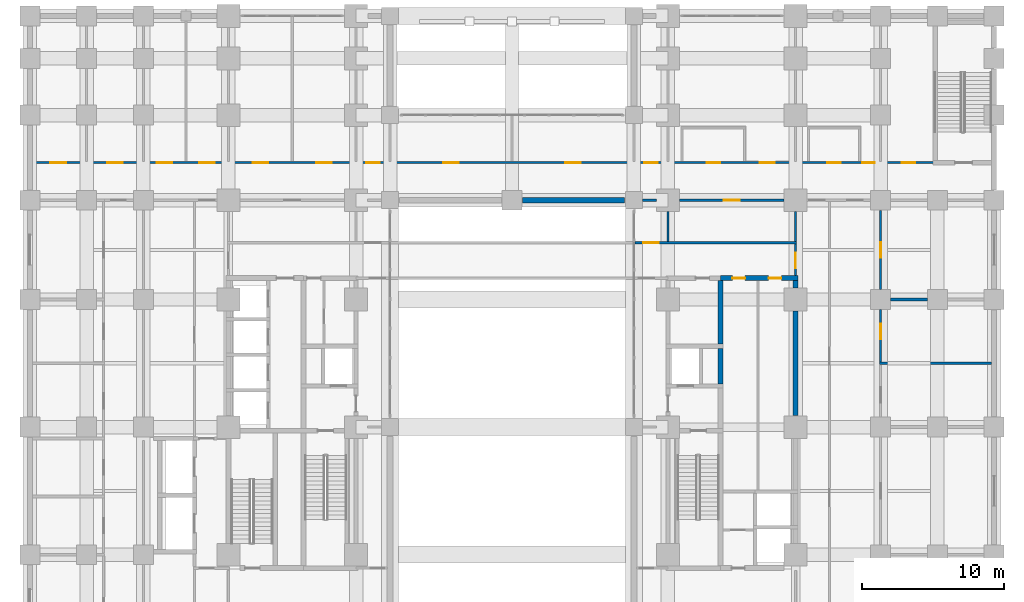
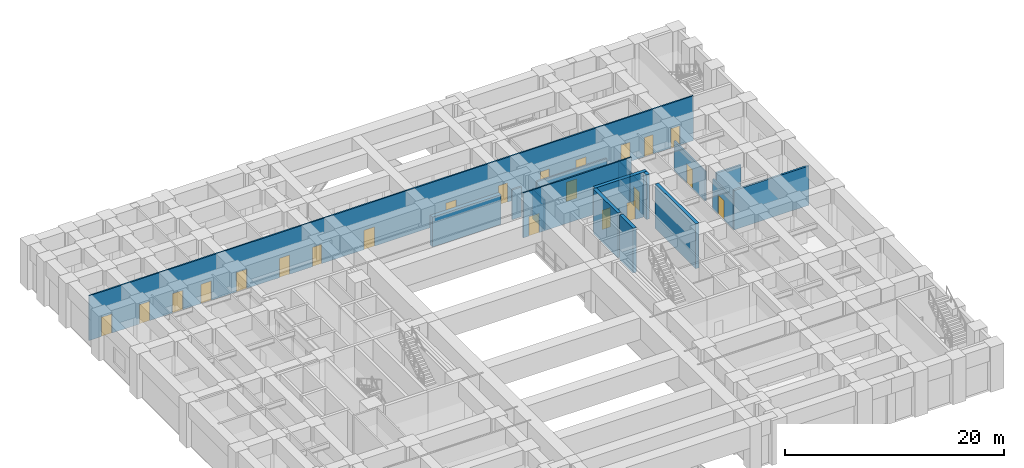
# One storey, part 16 of 24: 22 doors, 17 walls, 22 openings.
"""IFC4 building model written with IfcOpenShell, lengths in metres."""

from ifc_helpers import new_model, si_unit, direction, frame, frame_2d, origin, place, context, subcontext, project, spatial, rectangle, extrude, material, layer, layer_set, type_object, element, fill, save


model = new_model("IFC4")

# Units and contexts
model_context = context("Model", 3, precision=1e-05, world=origin(), true_north=direction((0.0, 1.0)))
body_context = subcontext(model_context, "Body", "Model", "MODEL_VIEW")
ifc_project = project(units=[si_unit("LENGTHUNIT", "METRE"), si_unit("AREAUNIT", "SQUARE_METRE"), si_unit("VOLUMEUNIT", "CUBIC_METRE"), si_unit("PLANEANGLEUNIT", "RADIAN"), si_unit("MASSUNIT", "GRAM", prefix="KILO")], contexts=[model_context])

# Site, building, storey
site_placement = place(None, origin())
site = spatial("IfcSite", under=ifc_project, at=site_placement, CompositionType="ELEMENT")
building_placement = place(site_placement, origin())
building = spatial("IfcBuilding", under=site, at=building_placement, Name="Zulmaris Gate Convention Tower", CompositionType="ELEMENT")
storey_placement = place(building_placement, frame((0.0, 0.0, 16.320068359375)))
storey = spatial("IfcBuildingStorey", under=building, at=storey_placement, Name="L03", CompositionType="ELEMENT", Elevation=16.320068359375)

# Wall, openings, doors
ifc_material_1 = material(Name="Concrete C55/67", Category="concrete")
ifc_layer_1 = layer(ifc_material_1, 0.35009765625, Name="Concrete C55/67")
ifc_layer_set_1 = layer_set([ifc_layer_1], Name="Concrete C55/67")
wall_type_1 = type_object("IfcWallType", Name="CORE-350", PredefinedType="SHEAR", material=ifc_layer_set_1)
wall_1_placement = place(storey_placement, frame((14.699951171875, 10.5, 0.0), z_axis=(0.0, 0.0, 1.0), x_axis=(1.0, 0.0, 0.0)))
wall_1 = element("IfcWall", 1, at=wall_1_placement, inside=storey, type_object=wall_type_1, Name="WL-L03-026", PredefinedType="SHEAR", context=body_context, shape_type="SweptSolid", body=[
    extrude(rectangle(XDim=5.47509765625, YDim=0.35009765625, at=frame_2d((2.737548828125, 0.0))), origin(), (0.0, 0.0, 1.0), 4.989990234375),
])
opening_1_placement = place(wall_1_placement, frame((0.85009765625, 0.0, 0.0)))
opening_1 = element("IfcOpeningElement", 2, at=opening_1_placement, cuts=wall_1, Name="Opening D-12", PredefinedType="OPENING", context=body_context, shape_type="SweptSolid", body=[
    extrude(rectangle(XDim=0.89990234375, YDim=2.14990234375, at=frame_2d((0.449951171875, 1.074951171875))), frame((0.0, 0.18505859375, 0.0), z_axis=(0.0, -1.0, 0.0), x_axis=(1.0, 0.0, 0.0)), (0.0, 0.0, 1.0), 0.3701171875),
])
opening_2_placement = place(wall_1_placement, frame((3.39990234375, 0.0, 0.0)))
opening_2 = element("IfcOpeningElement", 3, at=opening_2_placement, cuts=wall_1, Name="Opening D-12", PredefinedType="OPENING", context=body_context, shape_type="SweptSolid", body=[
    extrude(rectangle(XDim=0.89990234375, YDim=2.14990234375, at=frame_2d((0.449951171875, 1.074951171875))), frame((0.0, 0.18505859375, 0.0), z_axis=(0.0, -1.0, 0.0), x_axis=(1.0, 0.0, 0.0)), (0.0, 0.0, 1.0), 0.3701171875),
])
ifc_material_2 = material(Name="Fire-Rated Timber", Category="wood")
door_type_1 = type_object("IfcDoorType", Name="DR-900-FD", OperationType="NOTDEFINED", PredefinedType="DOOR", material=ifc_material_2)
door_1_placement = place(opening_1_placement, origin())
door_1 = element("IfcDoor", 4, at=door_1_placement, inside=storey, type_object=door_type_1, Name="L03 East IT Room Door 18", OperationType="SINGLE_SWING_RIGHT", OverallHeight=2.14990234375, OverallWidth=0.89990234375, PredefinedType="DOOR", context=body_context, shape_type="SweptSolid", body=[
    extrude(rectangle(XDim=0.89990234375, YDim=2.14990234375, at=frame_2d((0.449951171875, 1.074951171875))), frame((0.0, 0.02490234375, 0.0), z_axis=(0.0, -1.0, 0.0), x_axis=(1.0, 0.0, 0.0)), (0.0, 0.0, 1.0), 0.050048828125),
])
fill(opening_1, door_1)
door_2_placement = place(opening_2_placement, origin())
door_2 = element("IfcDoor", 5, at=door_2_placement, inside=storey, type_object=door_type_1, Name="L03 East Linen Store Door 19", OperationType="SINGLE_SWING_LEFT", OverallHeight=2.14990234375, OverallWidth=0.89990234375, PredefinedType="DOOR", context=body_context, shape_type="SweptSolid", body=[
    extrude(rectangle(XDim=0.89990234375, YDim=2.14990234375, at=frame_2d((0.449951171875, 1.074951171875))), frame((0.0, 0.02490234375, 0.0), z_axis=(0.0, -1.0, 0.0), x_axis=(1.0, 0.0, 0.0)), (0.0, 0.0, 1.0), 0.050048828125),
])
fill(opening_2, door_2)

# Walls
wall_2_placement = place(storey_placement, frame((14.699951171875, 3.052001953125, 0.0), z_axis=(0.0, 0.0, 1.0), x_axis=(0.0, 1.0, 0.0)))
element("IfcWall", 6, at=wall_2_placement, inside=storey, type_object=wall_type_1, Name="WL-L03-101", PredefinedType="SHEAR", context=body_context, shape_type="SweptSolid", body=[
    extrude(rectangle(XDim=2.49609375, YDim=0.35009765625, at=frame_2d((1.248046875, 0.0))), origin(), (0.0, 0.0, 1.0), 4.989990234375),
])
wall_3_placement = place(storey_placement, frame((14.699951171875, 5.85205078125, 0.0), z_axis=(0.0, 0.0, 1.0), x_axis=(0.0, 1.0, 0.0)))
element("IfcWall", 7, at=wall_3_placement, inside=storey, type_object=wall_type_1, Name="WL-L03-102", PredefinedType="SHEAR", context=body_context, shape_type="SweptSolid", body=[
    extrude(rectangle(XDim=4.470947265625, YDim=0.35009765625, at=frame_2d((2.2353515625, 0.0))), origin(), (0.0, 0.0, 1.0), 4.989990234375),
])
wall_4_placement = place(storey_placement, frame((20.0, 0.803955078125, 0.0), z_axis=(0.0, 0.0, 1.0), x_axis=(0.0, 1.0, 0.0)))
element("IfcWall", 8, at=wall_4_placement, inside=storey, type_object=wall_type_1, Name="WL-L03-107S1", PredefinedType="SHEAR", context=body_context, shape_type="SweptSolid", body=[
    extrude(rectangle(XDim=7.39208984375, YDim=0.35009765625, at=frame_2d((3.696044921875, 0.0))), origin(), (0.0, 0.0, 1.0), 4.989990234375),
])
wall_5_placement = place(storey_placement, frame((20.0, 9.803955078125, 0.0), z_axis=(0.0, 0.0, 1.0), x_axis=(0.0, 1.0, 0.0)))
element("IfcWall", 9, at=wall_5_placement, inside=storey, type_object=wall_type_1, Name="WL-L03-107S2", PredefinedType="SHEAR", context=body_context, shape_type="SweptSolid", body=[
    extrude(rectangle(XDim=0.51904296875, YDim=0.35009765625, at=frame_2d((0.259521484375, 0.0))), origin(), (0.0, 0.0, 1.0), 4.989990234375),
])

# Wall, opening, door
ifc_material_3 = material(Name="Gypsum Metal Stud Partition")
ifc_layer_2 = layer(ifc_material_3, 0.14990234375, Name="Gypsum Metal Stud Partition")
ifc_layer_set_2 = layer_set([ifc_layer_2], Name="Gypsum Metal Stud Partition")
wall_type_2 = type_object("IfcWallType", Name="PART-150", PredefinedType="PARTITIONING", material=ifc_layer_set_2)
wall_6_placement = place(storey_placement, frame((8.659912109375, 13.0, 0.0), z_axis=(0.0, 0.0, 1.0), x_axis=(1.0, 0.0, 0.0)))
wall_6 = element("IfcWall", 10, at=wall_6_placement, inside=storey, type_object=wall_type_2, Name="WL-L03-056", PredefinedType="PARTITIONING", context=body_context, shape_type="SweptSolid", body=[
    extrude(rectangle(XDim=11.4150390625, YDim=0.14990234375, at=frame_2d((5.70751953125, 0.0))), origin(), (0.0, 0.0, 1.0), 4.989990234375),
])
opening_3_placement = place(wall_6_placement, frame((0.590087890625, 0.0, 0.0)))
opening_3 = element("IfcOpeningElement", 11, at=opening_3_placement, cuts=wall_6, Name="Opening D-08", PredefinedType="OPENING", context=body_context, shape_type="SweptSolid", body=[
    extrude(rectangle(XDim=1.10009765625, YDim=2.14990234375, at=frame_2d((0.550048828125, 1.074951171875))), frame((0.0, 0.0849609375, 0.0), z_axis=(0.0, -1.0, 0.0), x_axis=(1.0, 0.0, 0.0)), (0.0, 0.0, 1.0), 0.169921875),
])
ifc_material_4 = material(Name="Fire-Rated Steel", Category="steel")
door_type_2 = type_object("IfcDoorType", Name="DR-1100-FD", OperationType="NOTDEFINED", PredefinedType="DOOR", material=ifc_material_4)
door_3_placement = place(opening_3_placement, origin())
door_3 = element("IfcDoor", 12, at=door_3_placement, inside=storey, type_object=door_type_2, Name="L03 East Spine North Door 37", OperationType="SINGLE_SWING_LEFT", OverallHeight=2.14990234375, OverallWidth=1.10009765625, PredefinedType="DOOR", context=body_context, shape_type="SweptSolid", body=[
    extrude(rectangle(XDim=1.10009765625, YDim=2.14990234375, at=frame_2d((0.550048828125, 1.074951171875))), frame((0.0, 0.02490234375, 0.0), z_axis=(0.0, -1.0, 0.0), x_axis=(1.0, 0.0, 0.0)), (0.0, 0.0, 1.0), 0.050048828125),
])
fill(opening_3, door_3)

# Wall
wall_7_placement = place(storey_placement, frame((9.2060546875, 16.0, 0.0), z_axis=(0.0, 0.0, 1.0), x_axis=(1.0, 0.0, 0.0)))
element("IfcWall", 13, at=wall_7_placement, inside=storey, type_object=wall_type_2, Name="WL-L03-061", PredefinedType="PARTITIONING", context=body_context, shape_type="SweptSolid", body=[
    extrude(rectangle(XDim=0.988037109375, YDim=0.14990234375, at=frame_2d((0.494140625, 0.0))), origin(), (0.0, 0.0, 1.0), 3.33203125),
])

# Wall, opening, door
wall_8_placement = place(storey_placement, frame((11.805908203125, 16.0, 0.0), z_axis=(0.0, 0.0, 1.0), x_axis=(1.0, 0.0, 0.0)))
wall_8 = element("IfcWall", 14, at=wall_8_placement, inside=storey, type_object=wall_type_2, Name="WL-L03-062", PredefinedType="PARTITIONING", context=body_context, shape_type="SweptSolid", body=[
    extrude(rectangle(XDim=7.38818359375, YDim=0.14990234375, at=frame_2d((3.694091796875, 0.0))), origin(), (0.0, 0.0, 1.0), 3.33203125),
])
opening_4_placement = place(wall_8_placement, frame((3.14404296875, 0.0, 0.0)))
opening_4 = element("IfcOpeningElement", 15, at=opening_4_placement, cuts=wall_8, Name="Opening D-21", PredefinedType="OPENING", context=body_context, shape_type="SweptSolid", body=[
    extrude(rectangle(XDim=1.10009765625, YDim=2.14990234375, at=frame_2d((0.550048828125, 1.074951171875))), frame((0.0, 0.0849609375, 0.0), z_axis=(0.0, -1.0, 0.0), x_axis=(1.0, 0.0, 0.0)), (0.0, 0.0, 1.0), 0.169921875),
])
ifc_material_5 = material(Name="Acoustic Hardwood Timber", Category="wood")
door_type_3 = type_object("IfcDoorType", Name="DR-1100", OperationType="NOTDEFINED", PredefinedType="DOOR", material=ifc_material_5)
door_4_placement = place(opening_4_placement, origin())
door_4 = element("IfcDoor", 16, at=door_4_placement, inside=storey, type_object=door_type_3, Name="L03 NE Breakout Salon Door 29", OperationType="SINGLE_SWING_LEFT", OverallHeight=2.14990234375, OverallWidth=1.10009765625, PredefinedType="DOOR", context=body_context, shape_type="SweptSolid", body=[
    extrude(rectangle(XDim=1.10009765625, YDim=2.14990234375, at=frame_2d((0.550048828125, 1.074951171875))), frame((0.0, 0.02490234375, 0.0), z_axis=(0.0, -1.0, 0.0), x_axis=(1.0, 0.0, 0.0)), (0.0, 0.0, 1.0), 0.050048828125),
])
fill(opening_4, door_4)

# Wall, openings, doors
wall_9_placement = place(storey_placement, frame((-33.8349609375, 18.64990234375, 0.0), z_axis=(0.0, 0.0, 1.0), x_axis=(1.0, 0.0, 0.0)))
wall_9 = element("IfcWall", 17, at=wall_9_placement, inside=storey, type_object=wall_type_2, Name="WL-L03-065", PredefinedType="PARTITIONING", context=body_context, shape_type="SweptSolid", body=[
    extrude(rectangle(XDim=63.68505859375, YDim=0.14990234375, at=frame_2d((31.842529296875, 0.0))), origin(), (0.0, 0.0, 1.0), 4.989990234375),
])
opening_5_placement = place(wall_9_placement, frame((1.284912109375, 0.0, 0.0)))
opening_5 = element("IfcOpeningElement", 18, at=opening_5_placement, cuts=wall_9, Name="Opening D-08", PredefinedType="OPENING", context=body_context, shape_type="SweptSolid", body=[
    extrude(rectangle(XDim=1.10009765625, YDim=2.14990234375, at=frame_2d((0.550048828125, 1.074951171875))), frame((0.0, 0.0849609375, 0.0), z_axis=(0.0, -1.0, 0.0), x_axis=(1.0, 0.0, 0.0)), (0.0, 0.0, 1.0), 0.169921875),
])
opening_6_placement = place(wall_9_placement, frame((5.284912109375, 0.0, 0.0)))
opening_6 = element("IfcOpeningElement", 19, at=opening_6_placement, cuts=wall_9, Name="Opening D-08", PredefinedType="OPENING", context=body_context, shape_type="SweptSolid", body=[
    extrude(rectangle(XDim=1.10009765625, YDim=2.14990234375, at=frame_2d((0.550048828125, 1.074951171875))), frame((0.0, 0.0849609375, 0.0), z_axis=(0.0, -1.0, 0.0), x_axis=(1.0, 0.0, 0.0)), (0.0, 0.0, 1.0), 0.169921875),
])
opening_7_placement = place(wall_9_placement, frame((8.784912109375, 0.0, 0.0)))
opening_7 = element("IfcOpeningElement", 20, at=opening_7_placement, cuts=wall_9, Name="Opening D-08", PredefinedType="OPENING", context=body_context, shape_type="SweptSolid", body=[
    extrude(rectangle(XDim=1.10009765625, YDim=2.14990234375, at=frame_2d((0.550048828125, 1.074951171875))), frame((0.0, 0.0849609375, 0.0), z_axis=(0.0, -1.0, 0.0), x_axis=(1.0, 0.0, 0.0)), (0.0, 0.0, 1.0), 0.169921875),
])
opening_8_placement = place(wall_9_placement, frame((11.784912109375, 0.0, 0.0)))
opening_8 = element("IfcOpeningElement", 21, at=opening_8_placement, cuts=wall_9, Name="Opening D-08", PredefinedType="OPENING", context=body_context, shape_type="SweptSolid", body=[
    extrude(rectangle(XDim=1.10009765625, YDim=2.14990234375, at=frame_2d((0.550048828125, 1.074951171875))), frame((0.0, 0.0849609375, 0.0), z_axis=(0.0, -1.0, 0.0), x_axis=(1.0, 0.0, 0.0)), (0.0, 0.0, 1.0), 0.169921875),
])
opening_9_placement = place(wall_9_placement, frame((15.534912109375, 0.0, 0.0)))
opening_9 = element("IfcOpeningElement", 22, at=opening_9_placement, cuts=wall_9, Name="Opening D-08", PredefinedType="OPENING", context=body_context, shape_type="SweptSolid", body=[
    extrude(rectangle(XDim=1.10009765625, YDim=2.14990234375, at=frame_2d((0.550048828125, 1.074951171875))), frame((0.0, 0.0849609375, 0.0), z_axis=(0.0, -1.0, 0.0), x_axis=(1.0, 0.0, 0.0)), (0.0, 0.0, 1.0), 0.169921875),
])
opening_10_placement = place(wall_9_placement, frame((20.034912109375, 0.0, 0.0)))
opening_10 = element("IfcOpeningElement", 23, at=opening_10_placement, cuts=wall_9, Name="Opening D-08", PredefinedType="OPENING", context=body_context, shape_type="SweptSolid", body=[
    extrude(rectangle(XDim=1.10009765625, YDim=2.14990234375, at=frame_2d((0.550048828125, 1.074951171875))), frame((0.0, 0.0849609375, 0.0), z_axis=(0.0, -1.0, 0.0), x_axis=(1.0, 0.0, 0.0)), (0.0, 0.0, 1.0), 0.169921875),
])
opening_11_placement = place(wall_9_placement, frame((23.56005859375, 0.0, 0.0)))
opening_11 = element("IfcOpeningElement", 24, at=opening_11_placement, cuts=wall_9, Name="Opening D-11", PredefinedType="OPENING", context=body_context, shape_type="SweptSolid", body=[
    extrude(rectangle(XDim=0.949951171875, YDim=2.14990234375, at=frame_2d((0.47509765625, 1.074951171875))), frame((0.0, 0.0849609375, 0.0), z_axis=(0.0, -1.0, 0.0), x_axis=(1.0, 0.0, 0.0)), (0.0, 0.0, 1.0), 0.169921875),
])
opening_12_placement = place(wall_9_placement, frame((28.985107421875, 0.0, 0.0)))
opening_12 = element("IfcOpeningElement", 25, at=opening_12_placement, cuts=wall_9, Name="Opening D-08", PredefinedType="OPENING", context=body_context, shape_type="SweptSolid", body=[
    extrude(rectangle(XDim=1.10009765625, YDim=2.14990234375, at=frame_2d((0.550048828125, 1.074951171875))), frame((0.0, 0.0849609375, 0.0), z_axis=(0.0, -1.0, 0.0), x_axis=(1.0, 0.0, 0.0)), (0.0, 0.0, 1.0), 0.169921875),
])
opening_13_placement = place(wall_9_placement, frame((37.5849609375, 0.0, 0.0)))
opening_13 = element("IfcOpeningElement", 26, at=opening_13_placement, cuts=wall_9, Name="Opening D-08", PredefinedType="OPENING", context=body_context, shape_type="SweptSolid", body=[
    extrude(rectangle(XDim=1.10009765625, YDim=2.14990234375, at=frame_2d((0.550048828125, 1.074951171875))), frame((0.0, 0.0849609375, 0.0), z_axis=(0.0, -1.0, 0.0), x_axis=(1.0, 0.0, 0.0)), (0.0, 0.0, 1.0), 0.169921875),
])
opening_14_placement = place(wall_9_placement, frame((43.159912109375, 0.0, 0.0)))
opening_14 = element("IfcOpeningElement", 27, at=opening_14_placement, cuts=wall_9, Name="Opening D-11", PredefinedType="OPENING", context=body_context, shape_type="SweptSolid", body=[
    extrude(rectangle(XDim=0.949951171875, YDim=2.14990234375, at=frame_2d((0.47509765625, 1.074951171875))), frame((0.0, 0.0849609375, 0.0), z_axis=(0.0, -1.0, 0.0), x_axis=(1.0, 0.0, 0.0)), (0.0, 0.0, 1.0), 0.169921875),
])
opening_15_placement = place(wall_9_placement, frame((61.31005859375, 0.0, 0.0)))
opening_15 = element("IfcOpeningElement", 28, at=opening_15_placement, cuts=wall_9, Name="Opening D-11", PredefinedType="OPENING", context=body_context, shape_type="SweptSolid", body=[
    extrude(rectangle(XDim=0.949951171875, YDim=2.14990234375, at=frame_2d((0.47509765625, 1.074951171875))), frame((0.0, 0.0849609375, 0.0), z_axis=(0.0, -1.0, 0.0), x_axis=(1.0, 0.0, 0.0)), (0.0, 0.0, 1.0), 0.169921875),
])
opening_16_placement = place(wall_9_placement, frame((47.56005859375, 0.0, 0.0)))
opening_16 = element("IfcOpeningElement", 29, at=opening_16_placement, cuts=wall_9, Name="Opening D-11", PredefinedType="OPENING", context=body_context, shape_type="SweptSolid", body=[
    extrude(rectangle(XDim=0.949951171875, YDim=2.14990234375, at=frame_2d((0.47509765625, 1.074951171875))), frame((0.0, 0.0849609375, 0.0), z_axis=(0.0, -1.0, 0.0), x_axis=(1.0, 0.0, 0.0)), (0.0, 0.0, 1.0), 0.169921875),
])
opening_17_placement = place(wall_9_placement, frame((51.31005859375, 0.0, 0.0)))
opening_17 = element("IfcOpeningElement", 30, at=opening_17_placement, cuts=wall_9, Name="Opening D-09", PredefinedType="OPENING", context=body_context, shape_type="SweptSolid", body=[
    extrude(rectangle(XDim=1.050048828125, YDim=2.14990234375, at=frame_2d((0.52490234375, 1.074951171875))), frame((0.0, 0.0849609375, 0.0), z_axis=(0.0, -1.0, 0.0), x_axis=(1.0, 0.0, 0.0)), (0.0, 0.0, 1.0), 0.169921875),
])
opening_18_placement = place(wall_9_placement, frame((56.06005859375, 0.0, 0.0)))
opening_18 = element("IfcOpeningElement", 31, at=opening_18_placement, cuts=wall_9, Name="Opening D-11", PredefinedType="OPENING", context=body_context, shape_type="SweptSolid", body=[
    extrude(rectangle(XDim=0.949951171875, YDim=2.14990234375, at=frame_2d((0.47509765625, 1.074951171875))), frame((0.0, 0.0849609375, 0.0), z_axis=(0.0, -1.0, 0.0), x_axis=(1.0, 0.0, 0.0)), (0.0, 0.0, 1.0), 0.169921875),
])
opening_19_placement = place(wall_9_placement, frame((58.534912109375, 0.0, 0.0)))
opening_19 = element("IfcOpeningElement", 32, at=opening_19_placement, cuts=wall_9, Name="Opening D-12", PredefinedType="OPENING", context=body_context, shape_type="SweptSolid", body=[
    extrude(rectangle(XDim=0.89990234375, YDim=2.14990234375, at=frame_2d((0.449951171875, 1.074951171875))), frame((0.0, 0.0849609375, 0.0), z_axis=(0.0, -1.0, 0.0), x_axis=(1.0, 0.0, 0.0)), (0.0, 0.0, 1.0), 0.169921875),
])
door_type_4 = type_object("IfcDoorType", Name="DR-1050-FD", OperationType="NOTDEFINED", PredefinedType="DOOR", material=ifc_material_4)
door_5_placement = place(opening_17_placement, origin())
door_5 = element("IfcDoor", 33, at=door_5_placement, inside=storey, type_object=door_type_4, Name="L03 NE Delegate Salon Door 60", OperationType="SINGLE_SWING_RIGHT", OverallHeight=2.14990234375, OverallWidth=1.050048828125, PredefinedType="DOOR", context=body_context, shape_type="SweptSolid", body=[
    extrude(rectangle(XDim=1.050048828125, YDim=2.14990234375, at=frame_2d((0.52490234375, 1.074951171875))), frame((0.0, 0.02490234375, 0.0), z_axis=(0.0, -1.0, 0.0), x_axis=(1.0, 0.0, 0.0)), (0.0, 0.0, 1.0), 0.050048828125),
])
fill(opening_17, door_5)
door_6_placement = place(opening_5_placement, origin())
door_6 = element("IfcDoor", 34, at=door_6_placement, inside=storey, type_object=door_type_2, Name="L03 VIP Delegate Lounge N1 Door 48", OperationType="SINGLE_SWING_RIGHT", OverallHeight=2.14990234375, OverallWidth=1.10009765625, PredefinedType="DOOR", context=body_context, shape_type="SweptSolid", body=[
    extrude(rectangle(XDim=1.10009765625, YDim=2.14990234375, at=frame_2d((0.550048828125, 1.074951171875))), frame((0.0, 0.02490234375, 0.0), z_axis=(0.0, -1.0, 0.0), x_axis=(1.0, 0.0, 0.0)), (0.0, 0.0, 1.0), 0.050048828125),
])
fill(opening_5, door_6)
door_7_placement = place(opening_6_placement, origin())
door_7 = element("IfcDoor", 35, at=door_7_placement, inside=storey, type_object=door_type_2, Name="L03 Board Secretariat Office N2 Door 49", OperationType="SINGLE_SWING_LEFT", OverallHeight=2.14990234375, OverallWidth=1.10009765625, PredefinedType="DOOR", context=body_context, shape_type="SweptSolid", body=[
    extrude(rectangle(XDim=1.10009765625, YDim=2.14990234375, at=frame_2d((0.550048828125, 1.074951171875))), frame((0.0, 0.02490234375, 0.0), z_axis=(0.0, -1.0, 0.0), x_axis=(1.0, 0.0, 0.0)), (0.0, 0.0, 1.0), 0.050048828125),
])
fill(opening_6, door_7)
door_8_placement = place(opening_7_placement, origin())
door_8 = element("IfcDoor", 36, at=door_8_placement, inside=storey, type_object=door_type_2, Name="L03 Convention Seminar Room N3 Door 50", OperationType="SINGLE_SWING_RIGHT", OverallHeight=2.14990234375, OverallWidth=1.10009765625, PredefinedType="DOOR", context=body_context, shape_type="SweptSolid", body=[
    extrude(rectangle(XDim=1.10009765625, YDim=2.14990234375, at=frame_2d((0.550048828125, 1.074951171875))), frame((0.0, 0.02490234375, 0.0), z_axis=(0.0, -1.0, 0.0), x_axis=(1.0, 0.0, 0.0)), (0.0, 0.0, 1.0), 0.050048828125),
])
fill(opening_7, door_8)
door_9_placement = place(opening_8_placement, origin())
door_9 = element("IfcDoor", 37, at=door_9_placement, inside=storey, type_object=door_type_2, Name="L03 Delegate Briefing Room N4 Door 51", OperationType="SINGLE_SWING_LEFT", OverallHeight=2.14990234375, OverallWidth=1.10009765625, PredefinedType="DOOR", context=body_context, shape_type="SweptSolid", body=[
    extrude(rectangle(XDim=1.10009765625, YDim=2.14990234375, at=frame_2d((0.550048828125, 1.074951171875))), frame((0.0, 0.02490234375, 0.0), z_axis=(0.0, -1.0, 0.0), x_axis=(1.0, 0.0, 0.0)), (0.0, 0.0, 1.0), 0.050048828125),
])
fill(opening_8, door_9)
door_10_placement = place(opening_9_placement, origin())
door_10 = element("IfcDoor", 38, at=door_10_placement, inside=storey, type_object=door_type_2, Name="L03 VIP Delegate Lounge N5 Door 52", OperationType="SINGLE_SWING_RIGHT", OverallHeight=2.14990234375, OverallWidth=1.10009765625, PredefinedType="DOOR", context=body_context, shape_type="SweptSolid", body=[
    extrude(rectangle(XDim=1.10009765625, YDim=2.14990234375, at=frame_2d((0.550048828125, 1.074951171875))), frame((0.0, 0.02490234375, 0.0), z_axis=(0.0, -1.0, 0.0), x_axis=(1.0, 0.0, 0.0)), (0.0, 0.0, 1.0), 0.050048828125),
])
fill(opening_9, door_10)
door_11_placement = place(opening_10_placement, origin())
door_11 = element("IfcDoor", 39, at=door_11_placement, inside=storey, type_object=door_type_2, Name="L03 Board Secretariat Office N6 Door 53", OperationType="SINGLE_SWING_LEFT", OverallHeight=2.14990234375, OverallWidth=1.10009765625, PredefinedType="DOOR", context=body_context, shape_type="SweptSolid", body=[
    extrude(rectangle(XDim=1.10009765625, YDim=2.14990234375, at=frame_2d((0.550048828125, 1.074951171875))), frame((0.0, 0.02490234375, 0.0), z_axis=(0.0, -1.0, 0.0), x_axis=(1.0, 0.0, 0.0)), (0.0, 0.0, 1.0), 0.050048828125),
])
fill(opening_10, door_11)
door_12_placement = place(opening_12_placement, origin())
door_12 = element("IfcDoor", 40, at=door_12_placement, inside=storey, type_object=door_type_2, Name="L03 North Arch Gallery West Door 55", OperationType="SINGLE_SWING_LEFT", OverallHeight=2.14990234375, OverallWidth=1.10009765625, PredefinedType="DOOR", context=body_context, shape_type="SweptSolid", body=[
    extrude(rectangle(XDim=1.10009765625, YDim=2.14990234375, at=frame_2d((0.550048828125, 1.074951171875))), frame((0.0, 0.02490234375, 0.0), z_axis=(0.0, -1.0, 0.0), x_axis=(1.0, 0.0, 0.0)), (0.0, 0.0, 1.0), 0.050048828125),
])
fill(opening_12, door_12)
door_13_placement = place(opening_13_placement, origin())
door_13 = element("IfcDoor", 41, at=door_13_placement, inside=storey, type_object=door_type_2, Name="L03 North Arch Gallery East Door 56", OperationType="SINGLE_SWING_RIGHT", OverallHeight=2.14990234375, OverallWidth=1.10009765625, PredefinedType="DOOR", context=body_context, shape_type="SweptSolid", body=[
    extrude(rectangle(XDim=1.10009765625, YDim=2.14990234375, at=frame_2d((0.550048828125, 1.074951171875))), frame((0.0, 0.02490234375, 0.0), z_axis=(0.0, -1.0, 0.0), x_axis=(1.0, 0.0, 0.0)), (0.0, 0.0, 1.0), 0.050048828125),
])
fill(opening_13, door_13)
door_14_placement = place(opening_19_placement, origin())
door_14 = element("IfcDoor", 42, at=door_14_placement, inside=storey, type_object=door_type_1, Name="L03 Prep Kitchen Door 62", OperationType="SINGLE_SWING_RIGHT", OverallHeight=2.14990234375, OverallWidth=0.89990234375, PredefinedType="DOOR", context=body_context, shape_type="SweptSolid", body=[
    extrude(rectangle(XDim=0.89990234375, YDim=2.14990234375, at=frame_2d((0.449951171875, 1.074951171875))), frame((0.0, 0.02490234375, 0.0), z_axis=(0.0, -1.0, 0.0), x_axis=(1.0, 0.0, 0.0)), (0.0, 0.0, 1.0), 0.050048828125),
])
fill(opening_19, door_14)
door_type_5 = type_object("IfcDoorType", Name="DR-950-FD", OperationType="NOTDEFINED", PredefinedType="DOOR", material=ifc_material_2)
door_15_placement = place(opening_11_placement, origin())
door_15 = element("IfcDoor", 43, at=door_15_placement, inside=storey, type_object=door_type_5, Name="L03 NW Translation Office Door 54", OperationType="SINGLE_SWING_RIGHT", OverallHeight=2.14990234375, OverallWidth=0.949951171875, PredefinedType="DOOR", context=body_context, shape_type="SweptSolid", body=[
    extrude(rectangle(XDim=0.949951171875, YDim=2.14990234375, at=frame_2d((0.47509765625, 1.074951171875))), frame((0.0, 0.02490234375, 0.0), z_axis=(0.0, -1.0, 0.0), x_axis=(1.0, 0.0, 0.0)), (0.0, 0.0, 1.0), 0.050048828125),
])
fill(opening_11, door_15)
door_16_placement = place(opening_14_placement, origin())
door_16 = element("IfcDoor", 44, at=door_16_placement, inside=storey, type_object=door_type_5, Name="L03 NE Translation Office Door 57", OperationType="SINGLE_SWING_LEFT", OverallHeight=2.14990234375, OverallWidth=0.949951171875, PredefinedType="DOOR", context=body_context, shape_type="SweptSolid", body=[
    extrude(rectangle(XDim=0.949951171875, YDim=2.14990234375, at=frame_2d((0.47509765625, 1.074951171875))), frame((0.0, 0.02490234375, 0.0), z_axis=(0.0, -1.0, 0.0), x_axis=(1.0, 0.0, 0.0)), (0.0, 0.0, 1.0), 0.050048828125),
])
fill(opening_14, door_16)
door_17_placement = place(opening_15_placement, origin())
door_17 = element("IfcDoor", 45, at=door_17_placement, inside=storey, type_object=door_type_5, Name="L03 Secretariat Office Door 58", OperationType="SINGLE_SWING_RIGHT", OverallHeight=2.14990234375, OverallWidth=0.949951171875, PredefinedType="DOOR", context=body_context, shape_type="SweptSolid", body=[
    extrude(rectangle(XDim=0.949951171875, YDim=2.14990234375, at=frame_2d((0.47509765625, 1.074951171875))), frame((0.0, 0.02490234375, 0.0), z_axis=(0.0, -1.0, 0.0), x_axis=(1.0, 0.0, 0.0)), (0.0, 0.0, 1.0), 0.050048828125),
])
fill(opening_15, door_17)
door_18_placement = place(opening_16_placement, origin())
door_18 = element("IfcDoor", 46, at=door_18_placement, inside=storey, type_object=door_type_5, Name="L03 Public Washrooms WC Door 59", OperationType="SINGLE_SWING_LEFT", OverallHeight=2.14990234375, OverallWidth=0.949951171875, PredefinedType="DOOR", context=body_context, shape_type="SweptSolid", body=[
    extrude(rectangle(XDim=0.949951171875, YDim=2.14990234375, at=frame_2d((0.47509765625, 1.074951171875))), frame((0.0, 0.02490234375, 0.0), z_axis=(0.0, -1.0, 0.0), x_axis=(1.0, 0.0, 0.0)), (0.0, 0.0, 1.0), 0.050048828125),
])
fill(opening_16, door_18)
door_19_placement = place(opening_18_placement, origin())
door_19 = element("IfcDoor", 47, at=door_19_placement, inside=storey, type_object=door_type_5, Name="L03 Accessible WC Door 61", OperationType="SINGLE_SWING_LEFT", OverallHeight=2.14990234375, OverallWidth=0.949951171875, PredefinedType="DOOR", context=body_context, shape_type="SweptSolid", body=[
    extrude(rectangle(XDim=0.949951171875, YDim=2.14990234375, at=frame_2d((0.47509765625, 1.074951171875))), frame((0.0, 0.02490234375, 0.0), z_axis=(0.0, -1.0, 0.0), x_axis=(1.0, 0.0, 0.0)), (0.0, 0.0, 1.0), 0.050048828125),
])
fill(opening_18, door_19)

# Wall
wall_10_placement = place(storey_placement, frame((11.0, 13.077880859375, 0.0), z_axis=(0.0, 0.0, 1.0), x_axis=(0.0, 1.0, 0.0)))
element("IfcWall", 48, at=wall_10_placement, inside=storey, type_object=wall_type_2, Name="WL-L03-141", PredefinedType="PARTITIONING", context=body_context, shape_type="SweptSolid", body=[
    extrude(rectangle(XDim=2.1162109375, YDim=0.14990234375, at=frame_2d((1.05810546875, 0.0))), origin(), (0.0, 0.0, 1.0), 3.33203125),
])

# Wall, opening, door
wall_11_placement = place(storey_placement, frame((20.0, 10.677978515625, 0.0), z_axis=(0.0, 0.0, 1.0), x_axis=(0.0, 1.0, 0.0)))
wall_11 = element("IfcWall", 49, at=wall_11_placement, inside=storey, type_object=wall_type_2, Name="WL-L03-148", PredefinedType="PARTITIONING", context=body_context, shape_type="SweptSolid", body=[
    extrude(rectangle(XDim=2.244140625, YDim=0.14990234375, at=frame_2d((1.1220703125, 0.0))), origin(), (0.0, 0.0, 1.0), 3.33203125),
])
opening_20_placement = place(wall_11_placement, frame((0.52197265625, 0.0, 0.0)))
opening_20 = element("IfcOpeningElement", 50, at=opening_20_placement, cuts=wall_11, Name="Opening D-08", PredefinedType="OPENING", context=body_context, shape_type="SweptSolid", body=[
    extrude(rectangle(XDim=1.10009765625, YDim=2.14990234375, at=frame_2d((0.550048828125, 1.074951171875))), frame((0.0, 0.0849609375, 0.0), z_axis=(0.0, -1.0, 0.0), x_axis=(1.0, 0.0, 0.0)), (0.0, 0.0, 1.0), 0.169921875),
])
door_20_placement = place(opening_20_placement, origin())
door_20 = element("IfcDoor", 51, at=door_20_placement, inside=storey, type_object=door_type_2, Name="L03 East Passage North Door 43", OperationType="SINGLE_SWING_LEFT", OverallHeight=2.14990234375, OverallWidth=1.10009765625, PredefinedType="DOOR", context=body_context, shape_type="SweptSolid", body=[
    extrude(rectangle(XDim=1.10009765625, YDim=2.14990234375, at=frame_2d((0.550048828125, 1.074951171875))), frame((0.0, 0.02490234375, 0.0), z_axis=(0.0, -1.0, 0.0), x_axis=(1.0, 0.0, 0.0)), (0.0, 0.0, 1.0), 0.050048828125),
])
fill(opening_20, door_20)

# Wall
wall_12_placement = place(storey_placement, frame((20.0, 13.077880859375, 0.0), z_axis=(0.0, 0.0, 1.0), x_axis=(0.0, 1.0, 0.0)))
element("IfcWall", 52, at=wall_12_placement, inside=storey, type_object=wall_type_2, Name="WL-L03-149", PredefinedType="PARTITIONING", context=body_context, shape_type="SweptSolid", body=[
    extrude(rectangle(XDim=2.1162109375, YDim=0.14990234375, at=frame_2d((1.05810546875, 0.0))), origin(), (0.0, 0.0, 1.0), 3.33203125),
])

# Wall, opening, door
wall_13_placement = place(storey_placement, frame((26.0, 4.60302734375, 0.0), z_axis=(0.0, 0.0, 1.0), x_axis=(0.0, 1.0, 0.0)))
wall_13 = element("IfcWall", 53, at=wall_13_placement, inside=storey, type_object=wall_type_2, Name="WL-L03-158", PredefinedType="PARTITIONING", context=body_context, shape_type="SweptSolid", body=[
    extrude(rectangle(XDim=3.69091796875, YDim=0.14990234375, at=frame_2d((1.845458984375, 0.0))), origin(), (0.0, 0.0, 1.0), 3.33203125),
])
opening_21_placement = place(wall_13_placement, frame((1.596923828125, 0.0, 0.0)))
opening_21 = element("IfcOpeningElement", 54, at=opening_21_placement, cuts=wall_13, Name="Opening D-08", PredefinedType="OPENING", context=body_context, shape_type="SweptSolid", body=[
    extrude(rectangle(XDim=1.10009765625, YDim=2.14990234375, at=frame_2d((0.550048828125, 1.074951171875))), frame((0.0, 0.0849609375, 0.0), z_axis=(0.0, -1.0, 0.0), x_axis=(1.0, 0.0, 0.0)), (0.0, 0.0, 1.0), 0.169921875),
])
door_21_placement = place(opening_21_placement, origin())
door_21 = element("IfcDoor", 55, at=door_21_placement, inside=storey, type_object=door_type_2, Name="L03 East Room E4 Door 78", OperationType="SINGLE_SWING_RIGHT", OverallHeight=2.14990234375, OverallWidth=1.10009765625, PredefinedType="DOOR", context=body_context, shape_type="SweptSolid", body=[
    extrude(rectangle(XDim=1.10009765625, YDim=2.14990234375, at=frame_2d((0.550048828125, 1.074951171875))), frame((0.0, 0.02490234375, 0.0), z_axis=(0.0, -1.0, 0.0), x_axis=(1.0, 0.0, 0.0)), (0.0, 0.0, 1.0), 0.050048828125),
])
fill(opening_21, door_21)

wall_14_placement = place(storey_placement, frame((26.0, 9.7060546875, 0.0), z_axis=(0.0, 0.0, 1.0), x_axis=(0.0, 1.0, 0.0)))
wall_14 = element("IfcWall", 56, at=wall_14_placement, inside=storey, type_object=wall_type_2, Name="WL-L03-159", PredefinedType="PARTITIONING", context=body_context, shape_type="SweptSolid", body=[
    extrude(rectangle(XDim=5.587890625, YDim=0.14990234375, at=frame_2d((2.7939453125, 0.0))), origin(), (0.0, 0.0, 1.0), 3.33203125),
])
opening_22_placement = place(wall_14_placement, frame((2.243896484375, 0.0, 0.0)))
opening_22 = element("IfcOpeningElement", 57, at=opening_22_placement, cuts=wall_14, Name="Opening D-08", PredefinedType="OPENING", context=body_context, shape_type="SweptSolid", body=[
    extrude(rectangle(XDim=1.10009765625, YDim=2.14990234375, at=frame_2d((0.550048828125, 1.074951171875))), frame((0.0, 0.0849609375, 0.0), z_axis=(0.0, -1.0, 0.0), x_axis=(1.0, 0.0, 0.0)), (0.0, 0.0, 1.0), 0.169921875),
])
door_22_placement = place(opening_22_placement, origin())
door_22 = element("IfcDoor", 58, at=door_22_placement, inside=storey, type_object=door_type_2, Name="L03 East Room E5 Door 79", OperationType="SINGLE_SWING_LEFT", OverallHeight=2.14990234375, OverallWidth=1.10009765625, PredefinedType="DOOR", context=body_context, shape_type="SweptSolid", body=[
    extrude(rectangle(XDim=1.10009765625, YDim=2.14990234375, at=frame_2d((0.550048828125, 1.074951171875))), frame((0.0, 0.02490234375, 0.0), z_axis=(0.0, -1.0, 0.0), x_axis=(1.0, 0.0, 0.0)), (0.0, 0.0, 1.0), 0.050048828125),
])
fill(opening_22, door_22)

# Walls
ifc_material_6 = material(Name="Autoclaved Aerated Concrete Block and Plasterboard", Category="concrete")
ifc_layer_3 = layer(ifc_material_6, 0.199951171875, Name="Autoclaved Aerated Concrete Block and Plasterboard")
ifc_layer_set_3 = layer_set([ifc_layer_3], Name="Autoclaved Aerated Concrete Block and Plasterboard")
wall_type_3 = type_object("IfcWallType", Name="PART-200", PredefinedType="PARTITIONING", material=ifc_layer_set_3)
wall_15_placement = place(storey_placement, frame((25.925048828125, 4.5, 0.0), z_axis=(0.0, 0.0, 1.0), x_axis=(1.0, 0.0, 0.0)))
element("IfcWall", 59, at=wall_15_placement, inside=storey, type_object=wall_type_3, Name="WL-L03-048", PredefinedType="PARTITIONING", context=body_context, shape_type="SweptSolid", body=[
    extrude(rectangle(XDim=7.909912109375, YDim=0.199951171875, at=frame_2d((3.955078125, 0.0))), origin(), (0.0, 0.0, 1.0), 4.3798828125),
])
wall_16_placement = place(storey_placement, frame((26.7060546875, 9.0, 0.0), z_axis=(0.0, 0.0, 1.0), x_axis=(1.0, 0.0, 0.0)))
element("IfcWall", 60, at=wall_16_placement, inside=storey, type_object=wall_type_3, Name="WL-L03-050", PredefinedType="PARTITIONING", context=body_context, shape_type="SweptSolid", body=[
    extrude(rectangle(XDim=2.587890625, YDim=0.199951171875, at=frame_2d((1.2939453125, 0.0))), origin(), (0.0, 0.0, 1.0), 3.33203125),
])
ifc_material_7 = material(Name="Precast concrete C50/60", Category="concrete")
ifc_layer_4 = layer(ifc_material_7, 0.39990234375, Name="Precast concrete C50/60")
ifc_layer_set_4 = layer_set([ifc_layer_4], Name="Precast concrete C50/60")
wall_type_4 = type_object("IfcWallType", Name="PRECAST-ARCH-400", PredefinedType="STANDARD", material=ifc_layer_set_4)
wall_17_placement = place(storey_placement, frame((0.72998046875, 16.0, 0.0), z_axis=(0.0, 0.0, 1.0), x_axis=(1.0, 0.0, 0.0)))
element("IfcWall", 61, at=wall_17_placement, inside=storey, type_object=wall_type_4, Name="EW-L03-ARCH-N_1", PredefinedType="STANDARD", context=body_context, shape_type="SweptSolid", body=[
    extrude(rectangle(XDim=7.219970703125, YDim=0.39990234375, at=frame_2d((3.60986328125, 0.0))), origin(), (0.0, 0.0, 1.0), 3.33203125),
])

save(model, "model.ifc")
